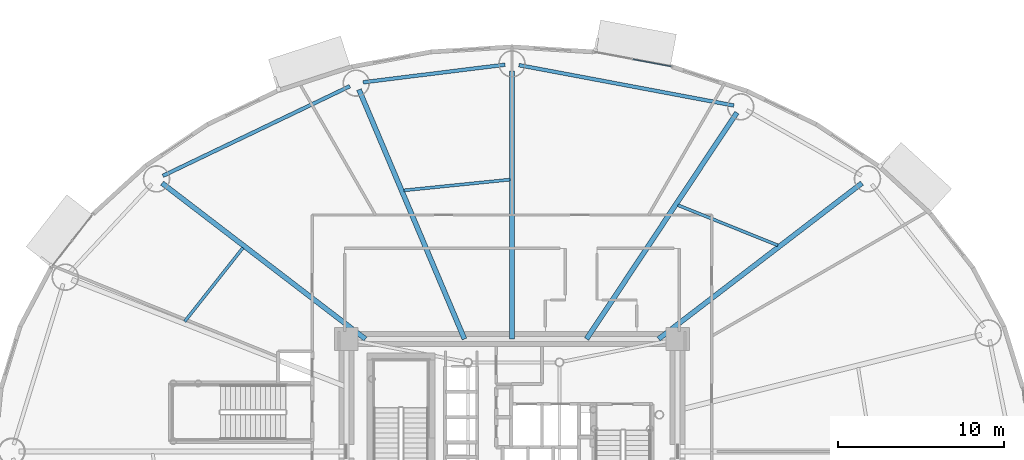
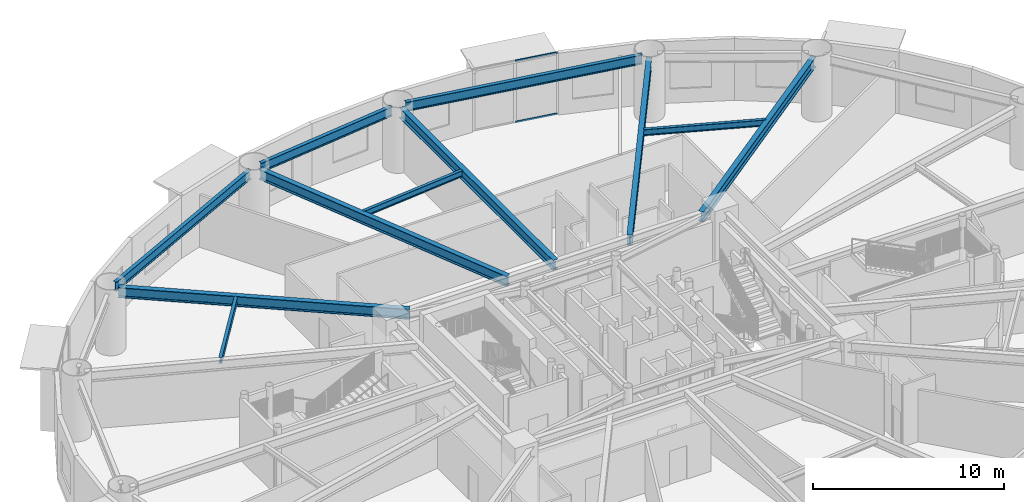
# One storey, part 11 of 32: 11 beams, 2 members, 1 element without a shape of its own.
"""IFC4 building model written with IfcOpenShell, lengths in metres."""

from ifc_helpers import new_model, si_unit, direction, frame, origin, origin_2d, place, context, subcontext, project, spatial, hollow_rectangle, i_section, extrude, source, transform, mapped, material, layer, layer_set, material_profile, profile_set, type_object, element, aggregate, save


model = new_model("IFC4")

# Units and contexts
model_context = context("Model", 3, precision=1e-05, world=origin(), true_north=direction((0.0, 1.0)))
body_context = subcontext(model_context, "Body", "Model", "MODEL_VIEW")
ifc_project = project(units=[si_unit("LENGTHUNIT", "METRE"), si_unit("AREAUNIT", "SQUARE_METRE"), si_unit("VOLUMEUNIT", "CUBIC_METRE"), si_unit("PLANEANGLEUNIT", "RADIAN"), si_unit("MASSUNIT", "GRAM", prefix="KILO")], contexts=[model_context])

# Site, building, storey
site_placement = place(None, origin())
site = spatial("IfcSite", under=ifc_project, at=site_placement, CompositionType="ELEMENT")
building_placement = place(site_placement, origin())
building = spatial("IfcBuilding", under=site, at=building_placement, Name="Linh Dai School and Residence Tower", CompositionType="ELEMENT")
storey_placement = place(building_placement, frame((0.0, 0.0, 40.800048828125)))
storey = spatial("IfcBuildingStorey", under=building, at=storey_placement, Name="L09", CompositionType="ELEMENT", Elevation=40.800048828125)

# Beams
ifc_material_1 = material(Name="Structural Steel S355JR", Category="steel")
ifc_material_profile_1 = material_profile(ifc_material_1, i_section(OverallWidth=0.219970703125, OverallDepth=0.60009765625, WebThickness=0.011962890625, FlangeThickness=0.01904296875, FilletRadius=0.02392578125, at=origin_2d()), Name="IPE 600")
ifc_profile_set_1 = profile_set([ifc_material_profile_1], Name="Structural Steel S355JR")
beam_type_1 = type_object("IfcBeamType", Name="BM-RB60", PredefinedType="BEAM", material=ifc_profile_set_1)
beam_1_placement = place(storey_placement, frame((49.32568359375, 47.776611328125, 3.64990234375), z_axis=(-0.982808389171, 0.184628465236, 0.0), x_axis=(-0.184628465236, -0.982808389171, 0.0)))
element("IfcBeam", 1, at=beam_1_placement, inside=storey, type_object=beam_type_1, Name="L09 Perimeter Elliptical Ring Beam 04", PredefinedType="BEAM", context=body_context, shape_type="SweptSolid", body=[
    extrude(i_section(OverallWidth=0.219970703125, OverallDepth=0.60009765625, WebThickness=0.011962890625, FlangeThickness=0.01904296875, FilletRadius=0.02392578125, at=origin_2d()), origin(), (0.0, 0.0, 1.0), 13.138671875),
])
beam_2_placement = place(storey_placement, frame((35.583251953125, 50.228271484375, 3.64990234375), z_axis=(-0.99240113372, -0.123044665842, 0.0), x_axis=(0.123044665842, -0.99240113372, 0.0)))
element("IfcBeam", 2, at=beam_2_placement, inside=storey, type_object=beam_type_1, Name="L09 Perimeter Elliptical Ring Beam 05", PredefinedType="BEAM", context=body_context, shape_type="SweptSolid", body=[
    extrude(i_section(OverallWidth=0.219970703125, OverallDepth=0.60009765625, WebThickness=0.011962890625, FlangeThickness=0.01904296875, FilletRadius=0.02392578125, at=origin_2d()), origin(), (0.0, 0.0, 1.0), 8.58935546875),
])
beam_3_placement = place(storey_placement, frame((26.263427734375, 48.938232421875, 3.64990234375), z_axis=(-0.901728693485, -0.432302398034, 0.0), x_axis=(0.432302398034, -0.901728693485, 0.0)))
element("IfcBeam", 3, at=beam_3_placement, inside=storey, type_object=beam_type_1, Name="L09 Perimeter Elliptical Ring Beam 06", PredefinedType="BEAM", context=body_context, shape_type="SweptSolid", body=[
    extrude(i_section(OverallWidth=0.219970703125, OverallDepth=0.60009765625, WebThickness=0.011962890625, FlangeThickness=0.01904296875, FilletRadius=0.02392578125, at=origin_2d()), origin(), (0.0, 0.0, 1.0), 12.462158203125),
])
ifc_material_profile_2 = material_profile(ifc_material_1, i_section(OverallWidth=0.300048828125, OverallDepth=0.64990234375, WebThickness=0.01611328125, FlangeThickness=0.031005859375, FilletRadius=0.027099609375, at=origin_2d()), Name="HEB 650")
ifc_profile_set_2 = profile_set([ifc_material_profile_2], Name="Structural Steel S355JR")
beam_type_2 = type_object("IfcBeamType", Name="BM-RG65", PredefinedType="BEAM", material=ifc_profile_set_2)
beam_4_placement = place(storey_placement, frame((44.804931640625, 33.75, 3.625), z_axis=(0.793637764155, 0.608390581212, 0.0), x_axis=(-0.608390581212, 0.793637764155, 0.0)))
element("IfcBeam", 4, at=beam_4_placement, inside=storey, type_object=beam_type_2, Name="L09 Primary Radial Floor Girder 03", PredefinedType="BEAM", context=body_context, shape_type="SweptSolid", body=[
    extrude(i_section(OverallWidth=0.300048828125, OverallDepth=0.64990234375, WebThickness=0.01611328125, FlangeThickness=0.031005859375, FilletRadius=0.027099609375, at=origin_2d()), origin(), (0.0, 0.0, 1.0), 15.390625),
])
beam_5_placement = place(storey_placement, frame((40.47998046875, 33.75, 3.625), z_axis=(0.55300421354, 0.833178456158, 0.0), x_axis=(-0.833178456158, 0.55300421354, 0.0)))
element("IfcBeam", 5, at=beam_5_placement, inside=storey, type_object=beam_type_2, Name="L09 Primary Radial Floor Girder 04", PredefinedType="BEAM", context=body_context, shape_type="SweptSolid", body=[
    extrude(i_section(OverallWidth=0.300048828125, OverallDepth=0.64990234375, WebThickness=0.01611328125, FlangeThickness=0.031005859375, FilletRadius=0.027099609375, at=origin_2d()), origin(), (0.0, 0.0, 1.0), 16.322021484375),
])
beam_6_placement = place(storey_placement, frame((36.0, 33.75, 3.625), z_axis=(0.0, 1.0, 0.0), x_axis=(-1.0, 0.0, 0.0)))
element("IfcBeam", 6, at=beam_6_placement, inside=storey, type_object=beam_type_2, Name="L09 Primary Radial Floor Girder 05", PredefinedType="BEAM", context=body_context, shape_type="SweptSolid", body=[
    extrude(i_section(OverallWidth=0.300048828125, OverallDepth=0.64990234375, WebThickness=0.01611328125, FlangeThickness=0.031005859375, FilletRadius=0.027099609375, at=origin_2d()), origin(), (0.0, 0.0, 1.0), 16.110107421875),
])
beam_7_placement = place(storey_placement, frame((33.14453125, 33.75, 3.625), z_axis=(-0.38962432485, 0.920973878829, 0.0), x_axis=(-0.920973878829, -0.38962432485, 0.0)))
element("IfcBeam", 7, at=beam_7_placement, inside=storey, type_object=beam_type_2, Name="L09 Primary Radial Floor Girder 06", PredefinedType="BEAM", context=body_context, shape_type="SweptSolid", body=[
    extrude(i_section(OverallWidth=0.300048828125, OverallDepth=0.64990234375, WebThickness=0.01611328125, FlangeThickness=0.031005859375, FilletRadius=0.027099609375, at=origin_2d()), origin(), (0.0, 0.0, 1.0), 16.2685546875),
])
beam_8_placement = place(storey_placement, frame((27.195068359375, 33.75, 3.625), z_axis=(-0.793637764155, 0.608390581212, 0.0), x_axis=(-0.608390581212, -0.793637764155, 0.0)))
element("IfcBeam", 8, at=beam_8_placement, inside=storey, type_object=beam_type_2, Name="L09 Primary Radial Floor Girder 07", PredefinedType="BEAM", context=body_context, shape_type="SweptSolid", body=[
    extrude(i_section(OverallWidth=0.300048828125, OverallDepth=0.64990234375, WebThickness=0.01611328125, FlangeThickness=0.031005859375, FilletRadius=0.027099609375, at=origin_2d()), origin(), (0.0, 0.0, 1.0), 15.390625),
])
ifc_material_profile_3 = material_profile(ifc_material_1, i_section(OverallWidth=0.179931640625, OverallDepth=0.39990234375, WebThickness=0.008544921875, FlangeThickness=0.013427734375, FilletRadius=0.02099609375, at=origin_2d()), Name="IPE 400")
ifc_profile_set_3 = profile_set([ifc_material_profile_3], Name="Structural Steel S355JR")
beam_type_3 = type_object("IfcBeamType", Name="BM-SB40", PredefinedType="BEAM", material=ifc_profile_set_3)
beam_9_placement = place(storey_placement, frame((51.962158203125, 39.377685546875, 3.75), z_axis=(-0.927532778422, 0.3737418159, 0.0), x_axis=(-0.3737418159, -0.927532778422, 0.0)))
element("IfcBeam", 9, at=beam_9_placement, inside=storey, type_object=beam_type_3, Name="L09 Secondary Circumferential Floor Beam 02", PredefinedType="BEAM", context=body_context, shape_type="SweptSolid", body=[
    extrude(i_section(OverallWidth=0.179931640625, OverallDepth=0.39990234375, WebThickness=0.008544921875, FlangeThickness=0.013427734375, FilletRadius=0.02099609375, at=origin_2d()), origin(), (0.0, 0.0, 1.0), 6.459716796875),
])
beam_10_placement = place(storey_placement, frame((35.87060546875, 43.32421875, 3.75), z_axis=(-0.994886521003, -0.100999061019, 0.0), x_axis=(0.100999061019, -0.994886521003, 0.0)))
element("IfcBeam", 10, at=beam_10_placement, inside=storey, type_object=beam_type_3, Name="L09 Secondary Circumferential Floor Beam 03", PredefinedType="BEAM", context=body_context, shape_type="SweptSolid", body=[
    extrude(i_section(OverallWidth=0.179931640625, OverallDepth=0.39990234375, WebThickness=0.008544921875, FlangeThickness=0.013427734375, FilletRadius=0.02099609375, at=origin_2d()), origin(), (0.0, 0.0, 1.0), 6.40087890625),
])
beam_11_placement = place(storey_placement, frame((19.836669921875, 39.22705078125, 3.75), z_axis=(-0.620205247605, -0.78443957756, 0.0), x_axis=(0.78443957756, -0.620205247605, 0.0)))
element("IfcBeam", 11, at=beam_11_placement, inside=storey, type_object=beam_type_3, Name="L09 Secondary Circumferential Floor Beam 04", PredefinedType="BEAM", context=body_context, shape_type="SweptSolid", body=[
    extrude(i_section(OverallWidth=0.179931640625, OverallDepth=0.39990234375, WebThickness=0.008544921875, FlangeThickness=0.013427734375, FilletRadius=0.02099609375, at=origin_2d()), origin(), (0.0, 0.0, 1.0), 5.642822265625),
])

# Curtain wall, members
ifc_material_2 = material(Name="Aluminium Anodised Curtain Wall", Category="aluminium")
ifc_layer = layer(ifc_material_2, 0.159912109375)
ifc_layer_set = layer_set([ifc_layer], Name="Aluminium Anodised Curtain Wall")
curtain_wall_type = type_object("IfcCurtainWallType", Name="CW-SYS-3", PredefinedType="USERDEFINED", material=ifc_layer_set)
curtain_wall_placement = place(storey_placement, origin())
curtain_wall = element("IfcCurtainWall", 12, at=curtain_wall_placement, inside=storey, type_object=curtain_wall_type, Name="L09 CW3 Curtain Wall 09", ObjectType="RIBBON CURTAIN WALL", PredefinedType="USERDEFINED")
ifc_material_3 = material(Name="Aluminium Alloy 6063-T6", Category="aluminium")
ifc_material_profile_4 = material_profile(ifc_material_3, hollow_rectangle(XDim=0.054931640625, YDim=0.1201171875, WallThickness=0.00390625, at=origin_2d()), Name="RHS 120x55x4")
ifc_profile_set_4 = profile_set([ifc_material_profile_4], Name="Aluminium Alloy 6063-T6")
member_type = type_object("IfcMemberType", Name="CW-SYS-3-TRN", PredefinedType="USERDEFINED", material=ifc_profile_set_4)
shared_shape = source(origin(), body_context, "Body", "SweptSolid", [
    extrude(hollow_rectangle(XDim=0.054931640625, YDim=0.1201171875, WallThickness=0.00390625, at=origin_2d()), origin(), (0.0, 0.0, 1.0), 2.331787109375),
])
member_1_placement = place(storey_placement, frame((43.264892578125, 50.55419921875, 0.02734375), z_axis=(0.98277485102, -0.184806905183, 0.0), x_axis=(0.184806905183, 0.98277485102, 0.0)))
member_1 = element("IfcMember", 13, at=member_1_placement, type_object=member_type, Name="CW3 transom 2.1", ObjectType="TRANSOM", PredefinedType="USERDEFINED", context=body_context, shape_type="MappedRepresentation", body=[
    mapped(shared_shape, transform((0.0, 0.0, 0.0), x_axis=(1.0, 0.0, 0.0), y_axis=(0.0, 1.0, 0.0), z_axis=(0.0, 0.0, 1.0), scale=1.0)),
])
member_2_placement = place(storey_placement, frame((43.264892578125, 50.55419921875, 3.92236328125), z_axis=(0.98277485102, -0.184806905183, 0.0), x_axis=(0.184806905183, 0.98277485102, 0.0)))
member_2 = element("IfcMember", 14, at=member_2_placement, type_object=member_type, Name="CW3 transom 2.2", ObjectType="TRANSOM", PredefinedType="USERDEFINED", context=body_context, shape_type="MappedRepresentation", body=[
    mapped(shared_shape, transform((0.0, 0.0, 0.0), x_axis=(1.0, 0.0, 0.0), y_axis=(0.0, 1.0, 0.0), z_axis=(0.0, 0.0, 1.0), scale=1.0)),
])
aggregate(curtain_wall, [member_1, member_2])

save(model, "model.ifc")
